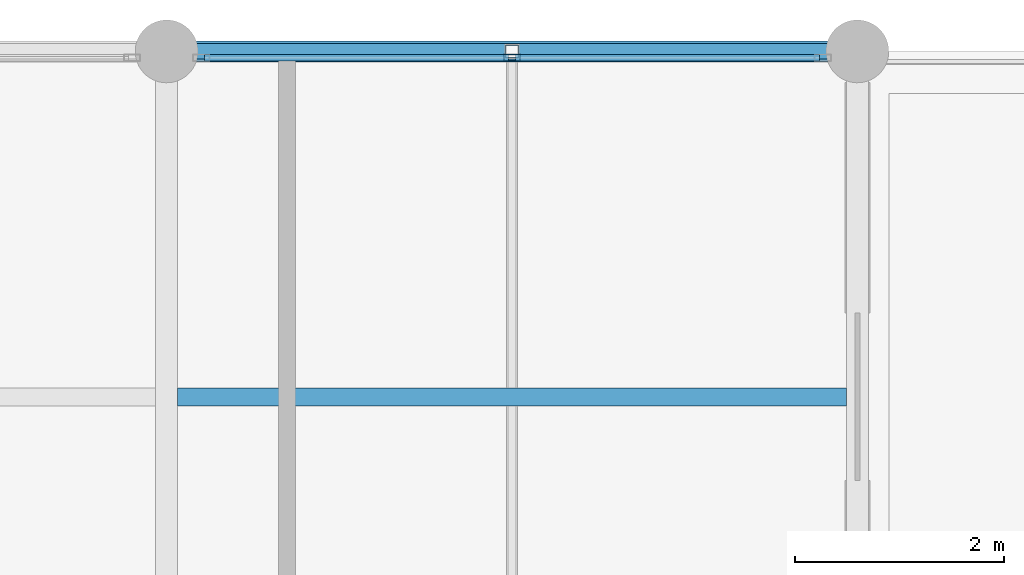
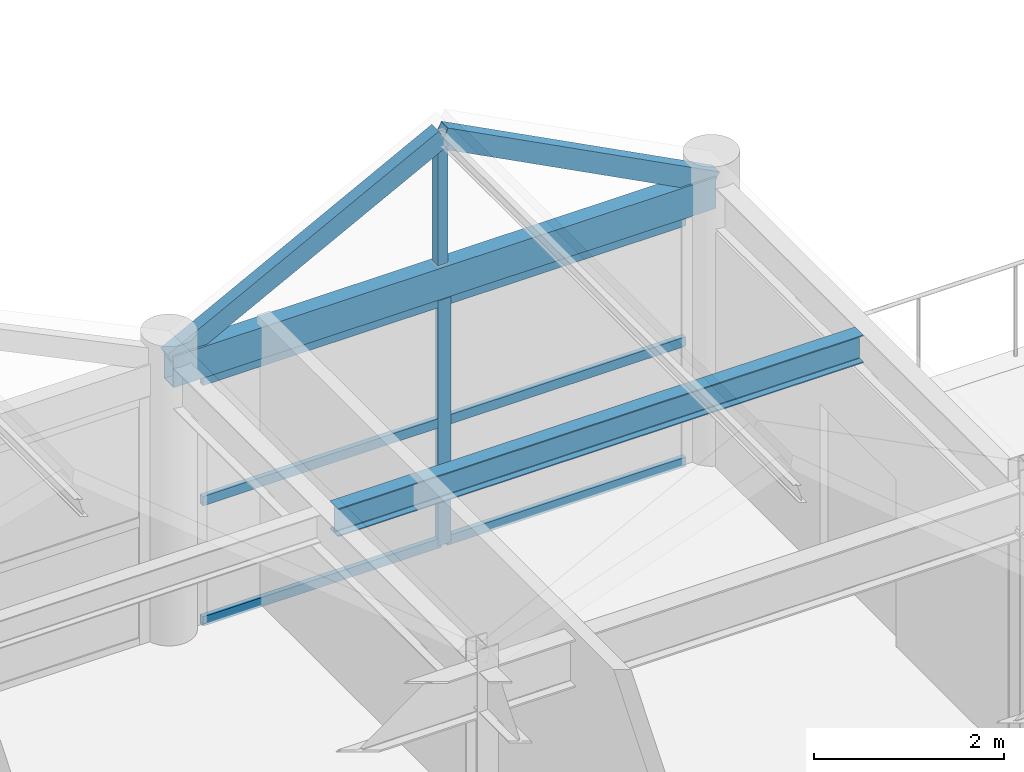
# One storey, part 12 of 21: 10 members, 2 beams, 1 element without a shape of its own.
"""IFC4 building model written with IfcOpenShell, lengths in metres."""

from ifc_helpers import new_model, si_unit, direction, frame, origin, origin_2d, place, context, subcontext, project, spatial, hollow_rectangle, i_section, extrude, material, material_profile, profile_set, type_object, element, aggregate, save


model = new_model("IFC4")

# Units and contexts
model_context = context("Model", 3, precision=1e-05, world=origin(), true_north=direction((0.0, 1.0)))
body_context = subcontext(model_context, "Body", "Model", "MODEL_VIEW")
ifc_project = project(units=[si_unit("LENGTHUNIT", "METRE"), si_unit("AREAUNIT", "SQUARE_METRE"), si_unit("VOLUMEUNIT", "CUBIC_METRE"), si_unit("PLANEANGLEUNIT", "RADIAN"), si_unit("MASSUNIT", "GRAM", prefix="KILO")], contexts=[model_context])

# Site, building, storey
site_placement = place(None, origin())
site = spatial("IfcSite", under=ifc_project, at=site_placement, CompositionType="ELEMENT")
building_placement = place(site_placement, origin())
building = spatial("IfcBuilding", under=site, at=building_placement, Name="Karori Crest Natural Sciences Institute", CompositionType="ELEMENT")
storey_placement = place(building_placement, frame((0.0, 0.0, 42.0)))
storey = spatial("IfcBuildingStorey", under=building, at=storey_placement, Name="L10", CompositionType="ELEMENT", Elevation=42.0)

# Beams
ifc_material_1 = material(Name="Structural steel AS/NZS 3679.1 Grade 350", Category="steel")
ifc_material_profile_1 = material_profile(ifc_material_1, i_section(OverallWidth=0.172119140625, OverallDepth=0.35888671875, WebThickness=0.008056640625, FlangeThickness=0.012939453125, FilletRadius=0.010986328125, at=origin_2d()), Name="360UB56.7")
ifc_profile_set_1 = profile_set([ifc_material_profile_1], Name="Structural steel AS/NZS 3679.1 Grade 350")
beam_type_1 = type_object("IfcBeamType", Name="BT-08", PredefinedType="BEAM", material=ifc_profile_set_1)
beam_1_placement = place(storey_placement, frame((130.1044921875, 17.300048828125, 3.390380859375), z_axis=(1.0, 0.0, 0.0), x_axis=(0.0, 1.0, 0.0)))
element("IfcBeam", 1, at=beam_1_placement, inside=storey, type_object=beam_type_1, Name="Beam B-2875", PredefinedType="BEAM", context=body_context, shape_type="SweptSolid", body=[
    extrude(i_section(OverallWidth=0.172119140625, OverallDepth=0.35888671875, WebThickness=0.008056640625, FlangeThickness=0.012939453125, FilletRadius=0.010986328125, at=origin_2d()), origin(), (0.0, 0.0, 1.0), 6.39111328125),
])
ifc_material_2 = material(Name="Hollow structural steel AS/NZS 1163 Grade C350", Category="steel")
ifc_material_profile_2 = material_profile(ifc_material_2, hollow_rectangle(XDim=0.199951171875, YDim=0.39990234375, WallThickness=0.012451171875, at=origin_2d()), Name="RHS400x200x12.5")
ifc_profile_set_2 = profile_set([ifc_material_profile_2], Name="Hollow structural steel AS/NZS 1163 Grade C350")
beam_type_2 = type_object("IfcBeamType", Name="BT-14", PredefinedType="SPANDREL", material=ifc_profile_set_2)
beam_2_placement = place(storey_placement, frame((130.0, 20.60009765625, 3.3701171875), z_axis=(1.0, 0.0, 0.0), x_axis=(0.0, 1.0, 0.0)))
element("IfcBeam", 2, at=beam_2_placement, inside=storey, type_object=beam_type_2, Name="Beam B-2846", PredefinedType="SPANDREL", context=body_context, shape_type="SweptSolid", body=[
    extrude(hollow_rectangle(XDim=0.199951171875, YDim=0.39990234375, WallThickness=0.012451171875, at=origin_2d()), origin(), (0.0, 0.0, 1.0), 6.60009765625),
])

# Curtain wall, members
ifc_material_3 = material(Name="Anodised architectural aluminium 6063-T6", Category="aluminium")
curtain_wall_type = type_object("IfcCurtainWallType", Name="CWT-20", PredefinedType="NOTDEFINED", material=ifc_material_3)
curtain_wall_placement = place(storey_placement, origin())
curtain_wall = element("IfcCurtainWall", 3, at=curtain_wall_placement, inside=storey, type_object=curtain_wall_type, Name="Curtain wall CW-0383", PredefinedType="NOTDEFINED")
ifc_material_profile_3 = material_profile(ifc_material_3, hollow_rectangle(XDim=0.06494140625, YDim=0.159912109375, WallThickness=0.00390625, at=origin_2d()), Name="CWM160x65x4")
ifc_profile_set_3 = profile_set([ifc_material_profile_3], Name="Anodised architectural aluminium 6063-T6")
member_type_1 = type_object("IfcMemberType", Name="CWM-01", PredefinedType="MULLION", material=ifc_profile_set_3)
member_1_placement = place(storey_placement, frame((133.300048828125, 20.5400390625, 0.0), z_axis=(0.0, 0.0, 1.0), x_axis=(0.0, 1.0, 0.0)))
member_1 = element("IfcMember", 4, at=member_1_placement, type_object=member_type_1, Name="CW-0383 mullion 2", PredefinedType="MULLION", context=body_context, shape_type="SweptSolid", body=[
    extrude(hollow_rectangle(XDim=0.06494140625, YDim=0.159912109375, WallThickness=0.00390625, at=origin_2d()), origin(), (0.0, 0.0, 1.0), 3.155029296875),
])
ifc_material_profile_4 = material_profile(ifc_material_3, hollow_rectangle(XDim=0.06005859375, YDim=0.1201171875, WallThickness=0.00390625, at=origin_2d()), Name="CWT120x60x4")
ifc_profile_set_4 = profile_set([ifc_material_profile_4], Name="Anodised architectural aluminium 6063-T6")
member_type_2 = type_object("IfcMemberType", Name="CWT-TR1", PredefinedType="USERDEFINED", material=ifc_profile_set_4)
member_2_placement = place(storey_placement, frame((130.363037109375, 20.5400390625, 0.030029296875), z_axis=(1.0, 0.0, 0.0), x_axis=(0.0, 1.0, 0.0)))
member_2 = element("IfcMember", 5, at=member_2_placement, type_object=member_type_2, Name="CW-0383 transom 1.1", ObjectType="TRANSOM", PredefinedType="USERDEFINED", context=body_context, shape_type="SweptSolid", body=[
    extrude(hollow_rectangle(XDim=0.06005859375, YDim=0.1201171875, WallThickness=0.00390625, at=origin_2d()), origin(), (0.0, 0.0, 1.0), 2.904541015625),
])
member_3_placement = place(storey_placement, frame((130.363037109375, 20.5400390625, 1.577392578125), z_axis=(1.0, 0.0, 0.0), x_axis=(0.0, 1.0, 0.0)))
member_3 = element("IfcMember", 6, at=member_3_placement, type_object=member_type_2, Name="CW-0383 transom 1.2", ObjectType="TRANSOM", PredefinedType="USERDEFINED", context=body_context, shape_type="SweptSolid", body=[
    extrude(hollow_rectangle(XDim=0.06005859375, YDim=0.1201171875, WallThickness=0.00390625, at=origin_2d()), origin(), (0.0, 0.0, 1.0), 2.904541015625),
])
member_4_placement = place(storey_placement, frame((130.363037109375, 20.5400390625, 3.125), z_axis=(1.0, 0.0, 0.0), x_axis=(0.0, 1.0, 0.0)))
member_4 = element("IfcMember", 7, at=member_4_placement, type_object=member_type_2, Name="CW-0383 transom 1.3", ObjectType="TRANSOM", PredefinedType="USERDEFINED", context=body_context, shape_type="SweptSolid", body=[
    extrude(hollow_rectangle(XDim=0.06005859375, YDim=0.1201171875, WallThickness=0.00390625, at=origin_2d()), origin(), (0.0, 0.0, 1.0), 2.904541015625),
])
member_5_placement = place(storey_placement, frame((133.33251953125, 20.5400390625, 0.030029296875), z_axis=(1.0, 0.0, 0.0), x_axis=(0.0, 1.0, 0.0)))
member_5 = element("IfcMember", 8, at=member_5_placement, type_object=member_type_2, Name="CW-0383 transom 2.1", ObjectType="TRANSOM", PredefinedType="USERDEFINED", context=body_context, shape_type="SweptSolid", body=[
    extrude(hollow_rectangle(XDim=0.06005859375, YDim=0.1201171875, WallThickness=0.00390625, at=origin_2d()), origin(), (0.0, 0.0, 1.0), 2.904541015625),
])
member_6_placement = place(storey_placement, frame((133.33251953125, 20.5400390625, 1.577392578125), z_axis=(1.0, 0.0, 0.0), x_axis=(0.0, 1.0, 0.0)))
member_6 = element("IfcMember", 9, at=member_6_placement, type_object=member_type_2, Name="CW-0383 transom 2.2", ObjectType="TRANSOM", PredefinedType="USERDEFINED", context=body_context, shape_type="SweptSolid", body=[
    extrude(hollow_rectangle(XDim=0.06005859375, YDim=0.1201171875, WallThickness=0.00390625, at=origin_2d()), origin(), (0.0, 0.0, 1.0), 2.904541015625),
])
member_7_placement = place(storey_placement, frame((133.33251953125, 20.5400390625, 3.125), z_axis=(1.0, 0.0, 0.0), x_axis=(0.0, 1.0, 0.0)))
member_7 = element("IfcMember", 10, at=member_7_placement, type_object=member_type_2, Name="CW-0383 transom 2.3", ObjectType="TRANSOM", PredefinedType="USERDEFINED", context=body_context, shape_type="SweptSolid", body=[
    extrude(hollow_rectangle(XDim=0.06005859375, YDim=0.1201171875, WallThickness=0.00390625, at=origin_2d()), origin(), (0.0, 0.0, 1.0), 2.904541015625),
])
aggregate(curtain_wall, [member_1, member_2, member_3, member_4, member_5, member_6, member_7])

# Members
ifc_material_profile_5 = material_profile(ifc_material_2, hollow_rectangle(XDim=0.14990234375, YDim=0.25, WallThickness=0.009033203125, at=origin_2d()), Name="RHS250x150x9")
ifc_profile_set_5 = profile_set([ifc_material_profile_5], Name="Hollow structural steel AS/NZS 1163 Grade C350")
member_type_3 = type_object("IfcMemberType", Name="MT-08", PredefinedType="RAFTER", material=ifc_profile_set_5)
for number, where, z_axis, x_axis, name in (
    (11, (130.0, 20.60009765625, 3.489990234375), (0.886782457456, 0.0, 0.462187054285), (0.0, 1.0, 0.0), "Member M-0493"),
    (12, (136.60009765625, 20.60009765625, 3.489990234375), (-0.886782457456, 0.0, 0.462187054285), (0.0, -1.0, 0.0), "Member M-0494"),
):
    element("IfcMember", number, at=place(storey_placement, frame(where, z_axis=z_axis, x_axis=x_axis)), inside=storey, type_object=member_type_3, Name=name, PredefinedType="RAFTER", context=body_context, shape_type="SweptSolid", body=[
        extrude(hollow_rectangle(XDim=0.14990234375, YDim=0.25, WallThickness=0.009033203125, at=origin_2d()), origin(), (0.0, 0.0, 1.0), 3.721435546875),
    ])
ifc_material_profile_6 = material_profile(ifc_material_2, hollow_rectangle(XDim=0.125, YDim=0.125, WallThickness=0.006103515625, at=origin_2d()), Name="SHS125x125x6")
ifc_profile_set_6 = profile_set([ifc_material_profile_6], Name="Hollow structural steel AS/NZS 1163 Grade C350")
member_type_4 = type_object("IfcMemberType", Name="MT-20", PredefinedType="STRUT", material=ifc_profile_set_6)
member_8_placement = place(storey_placement, frame((133.300048828125, 20.60009765625, 3.58203125), z_axis=(0.0, 0.0, 1.0), x_axis=(1.0, 0.0, 0.0)))
element("IfcMember", 13, at=member_8_placement, inside=storey, type_object=member_type_4, Name="Member M-0490", PredefinedType="STRUT", context=body_context, shape_type="SweptSolid", body=[
    extrude(hollow_rectangle(XDim=0.125, YDim=0.125, WallThickness=0.006103515625, at=origin_2d()), origin(), (0.0, 0.0, 1.0), 1.6279296875),
])

save(model, "model.ifc")
